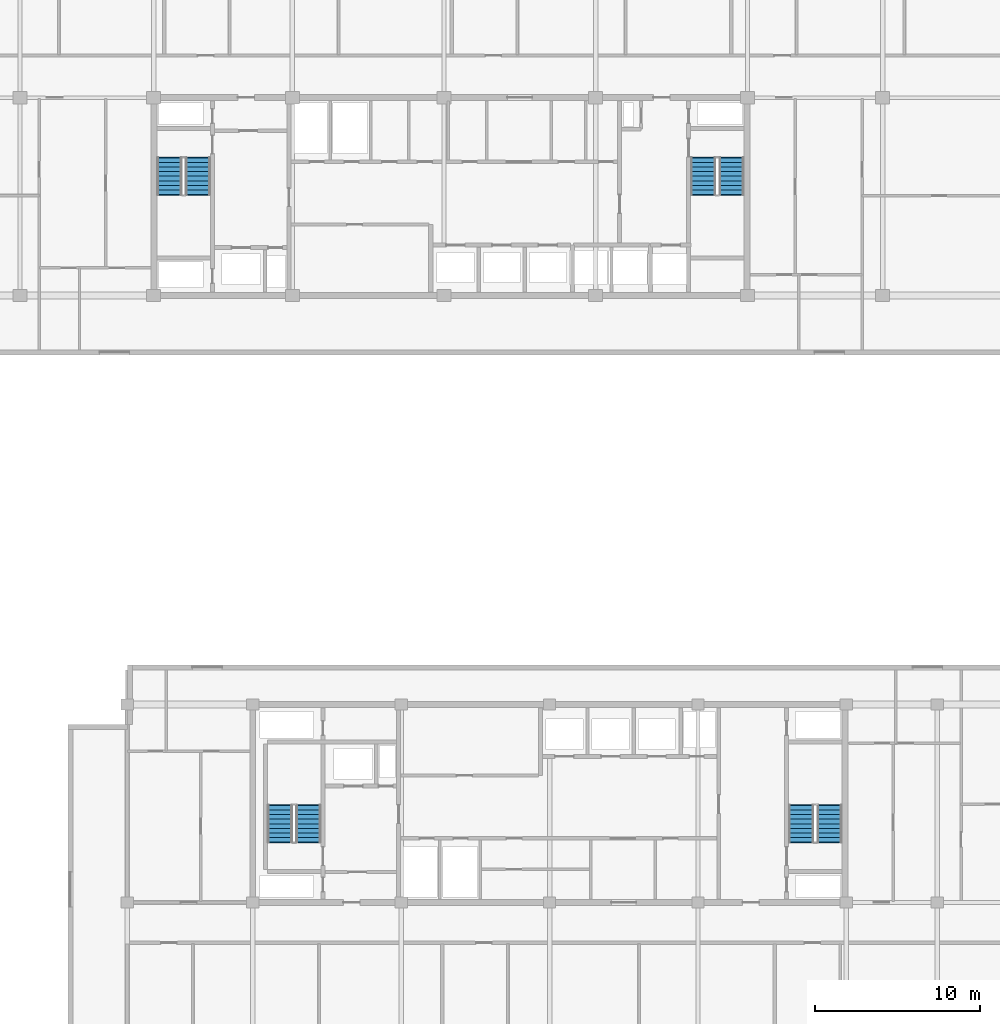
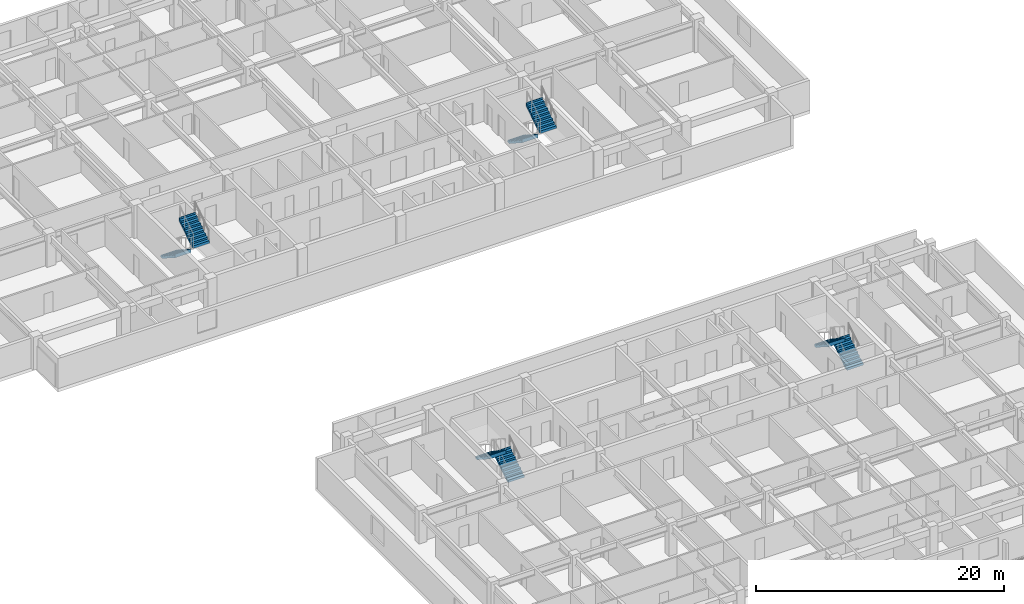
# One storey, part 18 of 23: 8 stair flights, 4 elements without a shape of their own.
"""IFC4 building model written with IfcOpenShell, lengths in metres."""

import ifcopenshell
import ifcopenshell.guid

model = None  # the IFC model being written
_history = None  # IfcOwnerHistory: only IFC2X3 demands one
_inside = {}  # id of a spatial element -> (the spatial element, [elements in it])
_under = {}  # id of a project, library or spatial element -> (it, [spatial elements below it])
_declared = {}  # id of a project -> (the project, [libraries it declares])
_typed = {}  # id of a type object -> (the type object, [elements of that type])
_made_of = {}  # id of a material, layer set ... -> (it, [elements and type objects made of it])


def new_model(schema):
    """Start an empty IFC model of exactly this schema.

    Asked for "IFC4X3", IfcOpenShell would pick the latest addendum, in which some entities
    have other attributes; the version numbers below select the first issue.
    IFC2X3 requires an IfcOwnerHistory on every rooted entity: one is made here for all.
    """
    global model, _history
    if schema == "IFC4X3":
        model = ifcopenshell.file(schema_version=(4, 3, 0, 0))
    else:
        model = ifcopenshell.file(schema=schema)
    _inside.clear()
    _under.clear()
    _declared.clear()
    _typed.clear()
    _made_of.clear()
    _history = None
    if model.schema == "IFC2X3":
        org = make("IfcOrganization", Name="unknown")
        user = make(
            "IfcPersonAndOrganization",
            ThePerson=make("IfcPerson", FamilyName="unknown"),
            TheOrganization=org,
        )
        app = make(
            "IfcApplication",
            ApplicationDeveloper=org,
            Version="unknown",
            ApplicationFullName="unknown",
            ApplicationIdentifier="unknown",
        )
        _history = make(
            "IfcOwnerHistory",
            OwningUser=user,
            OwningApplication=app,
            ChangeAction="ADDED",
            CreationDate=0,
        )
    return model


def make(cls, **values):
    """One entity of the class cls with the attributes given. An attribute that is None is left unset."""
    return model.create_entity(
        cls, **{name: value for name, value in values.items() if value is not None}
    )


def rooted(cls, **values):
    """An entity with a GlobalId (a new one), such as an element, a storey or a relation."""
    return make(cls, GlobalId=ifcopenshell.guid.new(), OwnerHistory=_history, **values)


def si_unit(unit_type, name, prefix=None):
    """IfcSIUnit, for example si_unit("LENGTHUNIT", "METRE", prefix="MILLI")."""
    return make("IfcSIUnit", UnitType=unit_type, Prefix=prefix, Name=name)


def assignment(units):
    """IfcUnitAssignment: the units of a project."""
    return None if units is None else make("IfcUnitAssignment", Units=units)


def point(xyz):
    """IfcCartesianPoint."""
    return None if xyz is None else make("IfcCartesianPoint", Coordinates=xyz)


def direction(xyz):
    """IfcDirection."""
    return None if xyz is None else make("IfcDirection", DirectionRatios=xyz)


def frame(location, z_axis=None, x_axis=None):
    """IfcAxis2Placement3D, a coordinate frame: its origin and axes. An axis left out is left unset."""
    return make(
        "IfcAxis2Placement3D",
        Location=point(location),
        Axis=direction(z_axis),
        RefDirection=direction(x_axis),
    )


def origin():
    """The frame at (0, 0, 0) with its axes left unset."""
    return frame((0.0, 0.0, 0.0))


def place(relative_to, where):
    """IfcLocalPlacement: puts the frame where relative to a parent placement (None: the world)."""
    return make(
        "IfcLocalPlacement", PlacementRelTo=relative_to, RelativePlacement=where
    )


def context(
    kind, dimensions, precision=None, world=None, true_north=None, identifier=None
):
    """IfcGeometricRepresentationContext, for example the 3D "Model" context."""
    return make(
        "IfcGeometricRepresentationContext",
        ContextIdentifier=identifier,
        ContextType=kind,
        CoordinateSpaceDimension=dimensions,
        Precision=precision,
        WorldCoordinateSystem=world,
        TrueNorth=true_north,
    )


def subcontext(parent, identifier, kind, view, scale=None):
    """IfcGeometricRepresentationSubContext, for example "Body" below "Model"."""
    return make(
        "IfcGeometricRepresentationSubContext",
        ContextIdentifier=identifier,
        ContextType=kind,
        ParentContext=parent,
        TargetScale=scale,
        TargetView=view,
    )


def project(units=None, contexts=None):
    """IfcProject with its units and contexts."""
    return rooted(
        "IfcProject",
        Name="project",
        RepresentationContexts=contexts,
        UnitsInContext=assignment(units),
    )


def spatial(cls, under=None, at=None, **own):
    """A site, building, storey or space (cls), placed at a placement, below another one or the project."""
    s = rooted(cls, ObjectPlacement=at, **own)
    if under is not None:
        _under.setdefault(under.id(), (under, []))[1].append(s)
    return s


def polyline(points):
    """IfcPolyline through the points."""
    return make("IfcPolyline", Points=[point(p) for p in points])


def outline(outer, holes=None, kind="AREA"):
    """IfcArbitraryClosedProfileDef: a profile drawn as a closed curve; with holes, ...WithVoids."""
    if holes is None:
        return make("IfcArbitraryClosedProfileDef", ProfileType=kind, OuterCurve=outer)
    return make(
        "IfcArbitraryProfileDefWithVoids",
        ProfileType=kind,
        OuterCurve=outer,
        InnerCurves=holes,
    )


def extrude(swept, where, along, depth):
    """IfcExtrudedAreaSolid: the profile swept, set in the frame where, extruded along a direction by depth."""
    return make(
        "IfcExtrudedAreaSolid",
        SweptArea=swept,
        Position=where,
        ExtrudedDirection=direction(along),
        Depth=depth,
    )


def shape(context_of_items, identifier, shape_type, items):
    """IfcShapeRepresentation: the items that make up one representation, for example the "Body"."""
    return make(
        "IfcShapeRepresentation",
        ContextOfItems=context_of_items,
        RepresentationIdentifier=identifier,
        RepresentationType=shape_type,
        Items=items,
    )


def material(Name=None, Category=None):
    """IfcMaterial."""
    return make("IfcMaterial", Name=Name, Category=Category)


def made_of(thing, what):
    """Note that an element or type object is made of a material, layer set ...; save() writes the relation."""
    if what is not None:
        _made_of.setdefault(what.id(), (what, []))[1].append(thing)
    return thing


def type_object(cls, material=None, **own):
    """A type object (cls), such as IfcWallType, which elements share."""
    return made_of(rooted(cls, **own), material)


def element(
    cls,
    number,
    at=None,
    inside=None,
    cuts=None,
    type_object=None,
    material=None,
    context=None,
    identifier="Body",
    shape_type=None,
    held_by="IfcProductDefinitionShape",
    body=None,
    shapes=None,
    **own,
):
    """One element of the class cls, such as IfcWall. Its Tag is "e" and its number.

    at: its placement. inside: the storey or other place that contains it. cuts: it is an
    opening in that element (IfcRelVoidsElement). A single representation is given by context,
    identifier, shape_type and body (its items); several are given by shapes. held_by: the class
    of the entity that holds the representations. save() writes the other relations.
    """
    e = rooted(cls, Tag="e%d" % number, ObjectPlacement=at, **own)
    if body is not None:
        shapes = [shape(context, identifier, shape_type, body)]
    if shapes is not None:
        e.Representation = make(held_by, Representations=shapes)
    if inside is not None:
        _inside.setdefault(inside.id(), (inside, []))[1].append(e)
    if cuts is not None:
        rooted(
            "IfcRelVoidsElement", RelatingBuildingElement=cuts, RelatedOpeningElement=e
        )
    if type_object is not None:
        _typed.setdefault(type_object.id(), (type_object, []))[1].append(e)
    return made_of(e, material)


def aggregate(whole, parts):
    """IfcRelAggregates: a whole, such as a stair, and the parts it consists of."""
    return rooted("IfcRelAggregates", RelatingObject=whole, RelatedObjects=parts)


def save(model, path):
    """Write the relations noted so far, then the file.

    IfcRelAggregates (storeys below a building ...), IfcRelContainedInSpatialStructure (elements
    in a storey), IfcRelDefinesByType, IfcRelAssociatesMaterial and IfcRelDeclares: one each for
    every whole, place, type object, material and project.
    """
    for whole, parts in _under.values():
        aggregate(whole, parts)
    for where, things in _inside.values():
        rooted(
            "IfcRelContainedInSpatialStructure",
            RelatedElements=things,
            RelatingStructure=where,
        )
    for kind, things in _typed.values():
        rooted("IfcRelDefinesByType", RelatedObjects=things, RelatingType=kind)
    for what, things in _made_of.values():
        rooted("IfcRelAssociatesMaterial", RelatedObjects=things, RelatingMaterial=what)
    for by, libraries in _declared.values():
        rooted("IfcRelDeclares", RelatingContext=by, RelatedDefinitions=libraries)
    model.write(path)


model = new_model("IFC4")

# Units and contexts
model_context = context("Model", 3, precision=1e-05, world=origin(), true_north=direction((0.0, 1.0)))
body_context = subcontext(model_context, "Body", "Model", "MODEL_VIEW")
ifc_project = project(units=[si_unit("LENGTHUNIT", "METRE"), si_unit("AREAUNIT", "SQUARE_METRE"), si_unit("VOLUMEUNIT", "CUBIC_METRE"), si_unit("PLANEANGLEUNIT", "RADIAN"), si_unit("MASSUNIT", "GRAM", prefix="KILO")], contexts=[model_context])

# Site, building, storey
site_placement = place(None, origin())
site = spatial("IfcSite", under=ifc_project, at=site_placement, CompositionType="ELEMENT")
building_placement = place(site_placement, origin())
building = spatial("IfcBuilding", under=site, at=building_placement, Name="Korimba Cascade Residences", CompositionType="ELEMENT")
storey_placement = place(building_placement, frame((0.0, 0.0, 162.10009765625)))
storey = spatial("IfcBuildingStorey", under=building, at=storey_placement, Name="L46", CompositionType="ELEMENT", Elevation=162.10009765625)

# Stair, stair flights
ifc_material = material(Name="Concrete C50/60", Category="concrete")
stair_type_1 = type_object("IfcStairType", Name="STR-W1-18R-1806", PredefinedType="HALF_TURN_STAIR", material=ifc_material)
stair_1_placement = place(storey_placement, origin())
stair_1 = element("IfcStair", 1, at=stair_1_placement, inside=storey, type_object=stair_type_1, Name="L46 Tower 1 West Fire Stair ST-W1", PredefinedType="HALF_TURN_STAIR")
stair_flight_type = type_object("IfcStairFlightType", Name="STF-DL-18R-1806-1520", PredefinedType="STRAIGHT", material=ifc_material)
stair_flight_1_placement = place(storey_placement, frame((77.06005859375, 63.550048828125, 0.0), z_axis=(0.0, 0.0, 1.0), x_axis=(0.0, -1.0, 0.0)))
stair_flight_1 = element("IfcStairFlight", 2, at=stair_flight_1_placement, type_object=stair_flight_type, Name="ST-W1 flight 1", NumberOfRisers=9, NumberOfTreads=8, PredefinedType="STRAIGHT", RiserHeight=0.180555556, TreadLength=0.28, context=body_context, shape_type="SweptSolid", body=[
    extrude(outline(polyline([(-0.0380859375, 0.0), (0.0, 0.1806640625), (0.280029296875, 0.1806640625), (0.280029296875, 0.361083984375), (0.56005859375, 0.361083984375), (0.56005859375, 0.541748046875), (0.840087890625, 0.541748046875), (0.840087890625, 0.72216796875), (1.1201171875, 0.72216796875), (1.1201171875, 0.90283203125), (1.39990234375, 0.90283203125), (1.39990234375, 1.083251953125), (1.679931640625, 1.083251953125), (1.679931640625, 1.263916015625), (1.9599609375, 1.263916015625), (1.9599609375, 1.4443359375), (2.239990234375, 1.4443359375), (2.239990234375, 1.625), (2.278076171875, 1.625), (2.278076171875, 1.26611328125), (0.276611328125, 0.0), (0.276611328125, -0.0380859375), (-0.0380859375, -0.0380859375), (-0.0380859375, 0.0)])), frame((0.0, 0.760009765625, 0.0), z_axis=(0.0, -1.0, 0.0), x_axis=(1.0, 0.0, 0.0)), (0.0, 0.0, 1.0), 1.52001953125),
])
stair_flight_2_placement = place(storey_placement, frame((78.780029296875, 61.31005859375, 1.625), z_axis=(0.0, 0.0, 1.0), x_axis=(0.0, 1.0, 0.0)))
stair_flight_2 = element("IfcStairFlight", 3, at=stair_flight_2_placement, type_object=stair_flight_type, Name="ST-W1 flight 2", NumberOfRisers=9, NumberOfTreads=8, PredefinedType="STRAIGHT", RiserHeight=0.180555556, TreadLength=0.28, context=body_context, shape_type="SweptSolid", body=[
    extrude(outline(polyline([(-0.0380859375, 0.0), (0.0, 0.1806640625), (0.280029296875, 0.1806640625), (0.280029296875, 0.361083984375), (0.56005859375, 0.361083984375), (0.56005859375, 0.541748046875), (0.840087890625, 0.541748046875), (0.840087890625, 0.72216796875), (1.1201171875, 0.72216796875), (1.1201171875, 0.90283203125), (1.39990234375, 0.90283203125), (1.39990234375, 1.083251953125), (1.679931640625, 1.083251953125), (1.679931640625, 1.263916015625), (1.9599609375, 1.263916015625), (1.9599609375, 1.4443359375), (2.239990234375, 1.4443359375), (2.239990234375, 1.625), (2.278076171875, 1.625), (2.278076171875, 1.26611328125), (0.276611328125, 0.0), (0.276611328125, -0.0380859375), (-0.0380859375, -0.0380859375), (-0.0380859375, 0.0)])), frame((0.0, 0.760009765625, 0.0), z_axis=(0.0, -1.0, 0.0), x_axis=(1.0, 0.0, 0.0)), (0.0, 0.0, 1.0), 1.52001953125),
])
aggregate(stair_1, [stair_flight_1, stair_flight_2])

stair_type_2 = type_object("IfcStairType", Name="STR-W2-18R-1806", PredefinedType="HALF_TURN_STAIR", material=ifc_material)
stair_2_placement = place(storey_placement, origin())
stair_2 = element("IfcStair", 4, at=stair_2_placement, inside=storey, type_object=stair_type_2, Name="L46 Tower 1 East Fire Stair ST-W2", PredefinedType="HALF_TURN_STAIR")
stair_flight_3_placement = place(storey_placement, frame((109.419921875, 63.550048828125, 0.0), z_axis=(0.0, 0.0, 1.0), x_axis=(0.0, -1.0, 0.0)))
stair_flight_3 = element("IfcStairFlight", 5, at=stair_flight_3_placement, type_object=stair_flight_type, Name="ST-W2 flight 1", NumberOfRisers=9, NumberOfTreads=8, PredefinedType="STRAIGHT", RiserHeight=0.180555556, TreadLength=0.28, context=body_context, shape_type="SweptSolid", body=[
    extrude(outline(polyline([(-0.0380859375, 0.0), (0.0, 0.1806640625), (0.280029296875, 0.1806640625), (0.280029296875, 0.361083984375), (0.56005859375, 0.361083984375), (0.56005859375, 0.541748046875), (0.840087890625, 0.541748046875), (0.840087890625, 0.72216796875), (1.1201171875, 0.72216796875), (1.1201171875, 0.90283203125), (1.39990234375, 0.90283203125), (1.39990234375, 1.083251953125), (1.679931640625, 1.083251953125), (1.679931640625, 1.263916015625), (1.9599609375, 1.263916015625), (1.9599609375, 1.4443359375), (2.239990234375, 1.4443359375), (2.239990234375, 1.625), (2.278076171875, 1.625), (2.278076171875, 1.26611328125), (0.276611328125, 0.0), (0.276611328125, -0.0380859375), (-0.0380859375, -0.0380859375), (-0.0380859375, 0.0)])), frame((0.0, 0.760009765625, 0.0), z_axis=(0.0, -1.0, 0.0), x_axis=(1.0, 0.0, 0.0)), (0.0, 0.0, 1.0), 1.52001953125),
])
stair_flight_4_placement = place(storey_placement, frame((111.139892578125, 61.31005859375, 1.625), z_axis=(0.0, 0.0, 1.0), x_axis=(0.0, 1.0, 0.0)))
stair_flight_4 = element("IfcStairFlight", 6, at=stair_flight_4_placement, type_object=stair_flight_type, Name="ST-W2 flight 2", NumberOfRisers=9, NumberOfTreads=8, PredefinedType="STRAIGHT", RiserHeight=0.180555556, TreadLength=0.28, context=body_context, shape_type="SweptSolid", body=[
    extrude(outline(polyline([(-0.0380859375, 0.0), (0.0, 0.1806640625), (0.280029296875, 0.1806640625), (0.280029296875, 0.361083984375), (0.56005859375, 0.361083984375), (0.56005859375, 0.541748046875), (0.840087890625, 0.541748046875), (0.840087890625, 0.72216796875), (1.1201171875, 0.72216796875), (1.1201171875, 0.90283203125), (1.39990234375, 0.90283203125), (1.39990234375, 1.083251953125), (1.679931640625, 1.083251953125), (1.679931640625, 1.263916015625), (1.9599609375, 1.263916015625), (1.9599609375, 1.4443359375), (2.239990234375, 1.4443359375), (2.239990234375, 1.625), (2.278076171875, 1.625), (2.278076171875, 1.26611328125), (0.276611328125, 0.0), (0.276611328125, -0.0380859375), (-0.0380859375, -0.0380859375), (-0.0380859375, 0.0)])), frame((0.0, 0.760009765625, 0.0), z_axis=(0.0, -1.0, 0.0), x_axis=(1.0, 0.0, 0.0)), (0.0, 0.0, 1.0), 1.52001953125),
])
aggregate(stair_2, [stair_flight_3, stair_flight_4])

stair_type_3 = type_object("IfcStairType", Name="STR-E1-18R-1806", PredefinedType="HALF_TURN_STAIR", material=ifc_material)
stair_3_placement = place(storey_placement, origin())
stair_3 = element("IfcStair", 7, at=stair_3_placement, inside=storey, type_object=stair_type_3, Name="L46 Tower 2 West Fire Stair ST-E1", PredefinedType="HALF_TURN_STAIR")
stair_flight_5_placement = place(storey_placement, frame((85.47998046875, 22.050048828125, 0.0), z_axis=(0.0, 0.0, 1.0), x_axis=(0.0, 1.0, 0.0)))
stair_flight_5 = element("IfcStairFlight", 8, at=stair_flight_5_placement, type_object=stair_flight_type, Name="ST-E1 flight 1", NumberOfRisers=9, NumberOfTreads=8, PredefinedType="STRAIGHT", RiserHeight=0.180555556, TreadLength=0.28, context=body_context, shape_type="SweptSolid", body=[
    extrude(outline(polyline([(-0.0380859375, 0.0), (0.0, 0.1806640625), (0.280029296875, 0.1806640625), (0.280029296875, 0.361083984375), (0.56005859375, 0.361083984375), (0.56005859375, 0.541748046875), (0.840087890625, 0.541748046875), (0.840087890625, 0.72216796875), (1.1201171875, 0.72216796875), (1.1201171875, 0.90283203125), (1.39990234375, 0.90283203125), (1.39990234375, 1.083251953125), (1.679931640625, 1.083251953125), (1.679931640625, 1.263916015625), (1.9599609375, 1.263916015625), (1.9599609375, 1.4443359375), (2.239990234375, 1.4443359375), (2.239990234375, 1.625), (2.278076171875, 1.625), (2.278076171875, 1.26611328125), (0.276611328125, 0.0), (0.276611328125, -0.0380859375), (-0.0380859375, -0.0380859375), (-0.0380859375, 0.0)])), frame((0.0, 0.760009765625, 0.0), z_axis=(0.0, -1.0, 0.0), x_axis=(1.0, 0.0, 0.0)), (0.0, 0.0, 1.0), 1.52001953125),
])
stair_flight_6_placement = place(storey_placement, frame((83.760009765625, 24.2900390625, 1.625), z_axis=(0.0, 0.0, 1.0), x_axis=(0.0, -1.0, 0.0)))
stair_flight_6 = element("IfcStairFlight", 9, at=stair_flight_6_placement, type_object=stair_flight_type, Name="ST-E1 flight 2", NumberOfRisers=9, NumberOfTreads=8, PredefinedType="STRAIGHT", RiserHeight=0.180555556, TreadLength=0.28, context=body_context, shape_type="SweptSolid", body=[
    extrude(outline(polyline([(-0.0380859375, 0.0), (0.0, 0.1806640625), (0.280029296875, 0.1806640625), (0.280029296875, 0.361083984375), (0.56005859375, 0.361083984375), (0.56005859375, 0.541748046875), (0.840087890625, 0.541748046875), (0.840087890625, 0.72216796875), (1.1201171875, 0.72216796875), (1.1201171875, 0.90283203125), (1.39990234375, 0.90283203125), (1.39990234375, 1.083251953125), (1.679931640625, 1.083251953125), (1.679931640625, 1.263916015625), (1.9599609375, 1.263916015625), (1.9599609375, 1.4443359375), (2.239990234375, 1.4443359375), (2.239990234375, 1.625), (2.278076171875, 1.625), (2.278076171875, 1.26611328125), (0.276611328125, 0.0), (0.276611328125, -0.0380859375), (-0.0380859375, -0.0380859375), (-0.0380859375, 0.0)])), frame((0.0, 0.760009765625, 0.0), z_axis=(0.0, -1.0, 0.0), x_axis=(1.0, 0.0, 0.0)), (0.0, 0.0, 1.0), 1.52001953125),
])
aggregate(stair_3, [stair_flight_5, stair_flight_6])

stair_type_4 = type_object("IfcStairType", Name="STR-E2-18R-1806", PredefinedType="HALF_TURN_STAIR", material=ifc_material)
stair_4_placement = place(storey_placement, origin())
stair_4 = element("IfcStair", 10, at=stair_4_placement, inside=storey, type_object=stair_type_4, Name="L46 Tower 2 East Fire Stair ST-E2", PredefinedType="HALF_TURN_STAIR")
stair_flight_7_placement = place(storey_placement, frame((117.080078125, 22.050048828125, 0.0), z_axis=(0.0, 0.0, 1.0), x_axis=(0.0, 1.0, 0.0)))
stair_flight_7 = element("IfcStairFlight", 11, at=stair_flight_7_placement, type_object=stair_flight_type, Name="ST-E2 flight 1", NumberOfRisers=9, NumberOfTreads=8, PredefinedType="STRAIGHT", RiserHeight=0.180555556, TreadLength=0.28, context=body_context, shape_type="SweptSolid", body=[
    extrude(outline(polyline([(-0.0380859375, 0.0), (0.0, 0.1806640625), (0.280029296875, 0.1806640625), (0.280029296875, 0.361083984375), (0.56005859375, 0.361083984375), (0.56005859375, 0.541748046875), (0.840087890625, 0.541748046875), (0.840087890625, 0.72216796875), (1.1201171875, 0.72216796875), (1.1201171875, 0.90283203125), (1.39990234375, 0.90283203125), (1.39990234375, 1.083251953125), (1.679931640625, 1.083251953125), (1.679931640625, 1.263916015625), (1.9599609375, 1.263916015625), (1.9599609375, 1.4443359375), (2.239990234375, 1.4443359375), (2.239990234375, 1.625), (2.278076171875, 1.625), (2.278076171875, 1.26611328125), (0.276611328125, 0.0), (0.276611328125, -0.0380859375), (-0.0380859375, -0.0380859375), (-0.0380859375, 0.0)])), frame((0.0, 0.760009765625, 0.0), z_axis=(0.0, -1.0, 0.0), x_axis=(1.0, 0.0, 0.0)), (0.0, 0.0, 1.0), 1.52001953125),
])
stair_flight_8_placement = place(storey_placement, frame((115.360107421875, 24.2900390625, 1.625), z_axis=(0.0, 0.0, 1.0), x_axis=(0.0, -1.0, 0.0)))
stair_flight_8 = element("IfcStairFlight", 12, at=stair_flight_8_placement, type_object=stair_flight_type, Name="ST-E2 flight 2", NumberOfRisers=9, NumberOfTreads=8, PredefinedType="STRAIGHT", RiserHeight=0.180555556, TreadLength=0.28, context=body_context, shape_type="SweptSolid", body=[
    extrude(outline(polyline([(-0.0380859375, 0.0), (0.0, 0.1806640625), (0.280029296875, 0.1806640625), (0.280029296875, 0.361083984375), (0.56005859375, 0.361083984375), (0.56005859375, 0.541748046875), (0.840087890625, 0.541748046875), (0.840087890625, 0.72216796875), (1.1201171875, 0.72216796875), (1.1201171875, 0.90283203125), (1.39990234375, 0.90283203125), (1.39990234375, 1.083251953125), (1.679931640625, 1.083251953125), (1.679931640625, 1.263916015625), (1.9599609375, 1.263916015625), (1.9599609375, 1.4443359375), (2.239990234375, 1.4443359375), (2.239990234375, 1.625), (2.278076171875, 1.625), (2.278076171875, 1.26611328125), (0.276611328125, 0.0), (0.276611328125, -0.0380859375), (-0.0380859375, -0.0380859375), (-0.0380859375, 0.0)])), frame((0.0, 0.760009765625, 0.0), z_axis=(0.0, -1.0, 0.0), x_axis=(1.0, 0.0, 0.0)), (0.0, 0.0, 1.0), 1.52001953125),
])
aggregate(stair_4, [stair_flight_7, stair_flight_8])

save(model, "model.ifc")
